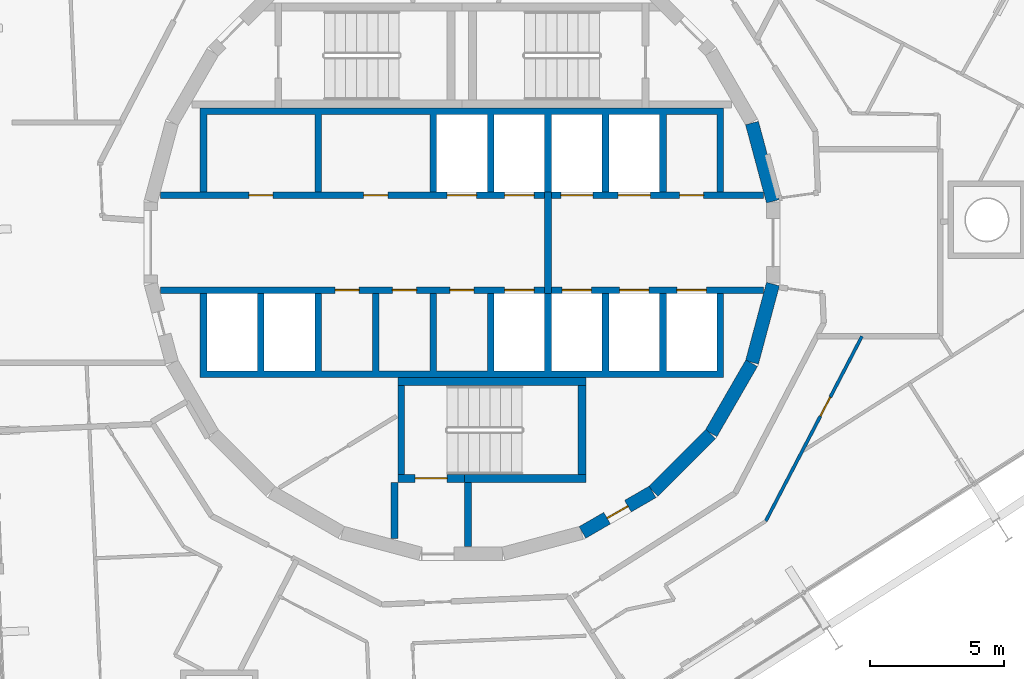
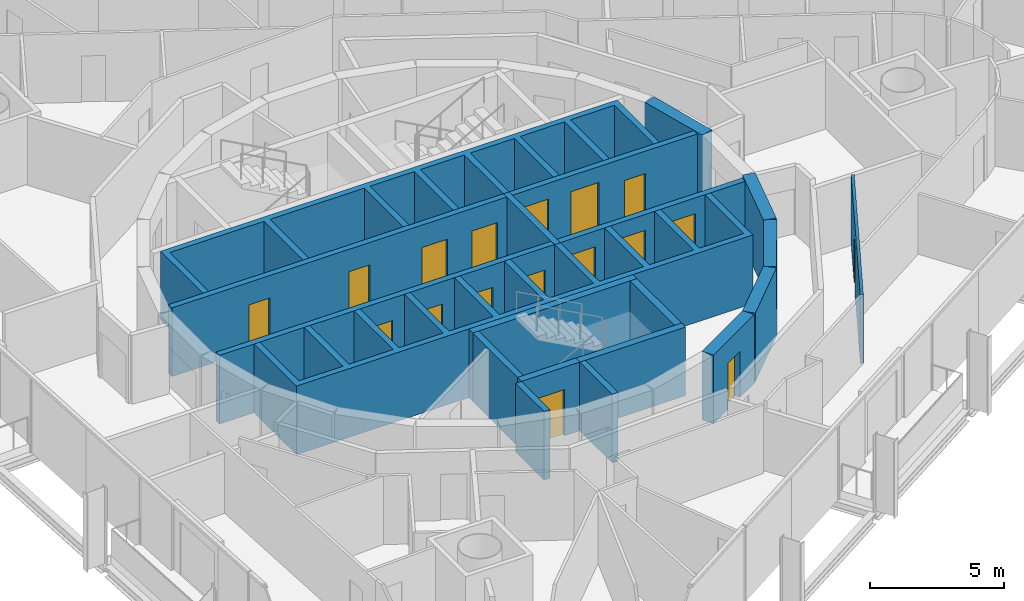
# One storey, part 13 of 17: 20 walls, 17 doors, 17 openings.
"""IFC4 building model written with IfcOpenShell, lengths in metres."""

from ifc_helpers import new_model, si_unit, direction, frame, frame_2d, origin, place, context, subcontext, project, spatial, polyline, rectangle, outline, extrude, material, layer, layer_set, type_object, element, fill, save


model = new_model("IFC4")

# Units and contexts
model_context = context("Model", 3, precision=1e-05, world=origin(), true_north=direction((0.0, 1.0)))
body_context = subcontext(model_context, "Body", "Model", "MODEL_VIEW")
ifc_project = project(units=[si_unit("LENGTHUNIT", "METRE"), si_unit("AREAUNIT", "SQUARE_METRE"), si_unit("VOLUMEUNIT", "CUBIC_METRE"), si_unit("PLANEANGLEUNIT", "RADIAN"), si_unit("MASSUNIT", "GRAM", prefix="KILO")], contexts=[model_context])

# Site, building, storey
site_placement = place(None, origin())
site = spatial("IfcSite", under=ifc_project, at=site_placement, CompositionType="ELEMENT")
building_placement = place(site_placement, origin())
building = spatial("IfcBuilding", under=site, at=building_placement, Name="Spindle Arch Residences", CompositionType="ELEMENT")
storey_placement = place(building_placement, frame((0.0, 0.0, 244.199951171875)))
storey = spatial("IfcBuildingStorey", under=building, at=storey_placement, Name="L62", CompositionType="ELEMENT", Elevation=244.199951171875)

# Wall, opening, door
ifc_material_1 = material(Name="Concrete C50/60", Category="concrete")
ifc_layer_1 = layer(ifc_material_1, 0.5)
ifc_layer_set_1 = layer_set([ifc_layer_1], Name="Core outline wall 500")
wall_type_1 = type_object("IfcWallType", Name="Core outline wall 500", PredefinedType="SHEAR", material=ifc_layer_set_1)
wall_1_placement = place(storey_placement, frame((4.510498046875, -10.84521484375, 0.0), z_axis=(0.0, 0.0, 1.0), x_axis=(0.865975092491, 0.500087131594, 0.0)))
wall_1 = element("IfcWall", 1, at=wall_1_placement, inside=storey, type_object=wall_type_1, Name="Core outline wall 2", PredefinedType="SHEAR", context=body_context, shape_type="SweptSolid", body=[
    extrude(rectangle(XDim=3.03271484375, YDim=0.5, at=frame_2d((1.516357421875, 0.0))), origin(), (0.0, 0.0, 1.0), 3.1201171875),
])
opening_1_placement = place(wall_1_placement, frame((1.06640625, 0.0, 0.0)))
opening_1 = element("IfcOpeningElement", 2, at=opening_1_placement, cuts=wall_1, Name="Opening R6B1-WD10", PredefinedType="OPENING", context=body_context, shape_type="SweptSolid", body=[
    extrude(rectangle(XDim=0.89990234375, YDim=2.10009765625, at=frame_2d((0.449951171875, 1.050048828125))), frame((0.0, 0.260009765625, 0.0), z_axis=(0.0, -1.0, 0.0), x_axis=(1.0, 0.0, 0.0)), (0.0, 0.0, 1.0), 0.52001953125),
])
ifc_material_2 = material(Name="Steel, fire-resisting door", Category="steel")
door_type_1 = type_object("IfcDoorType", Name="Service room door 900x2100", OperationType="SINGLE_SWING_LEFT", PredefinedType="DOOR", material=ifc_material_2)
door_1_placement = place(opening_1_placement, origin())
door_1 = element("IfcDoor", 3, at=door_1_placement, inside=storey, type_object=door_type_1, Name="Service room door R6B1-WD10", OperationType="SINGLE_SWING_RIGHT", OverallHeight=2.10009765625, OverallWidth=0.89990234375, PredefinedType="DOOR", context=body_context, shape_type="SweptSolid", body=[
    extrude(rectangle(XDim=0.89990234375, YDim=2.10009765625, at=frame_2d((0.449951171875, 1.050048828125))), frame((0.0, 0.02490234375, 0.0), z_axis=(0.0, -1.0, 0.0), x_axis=(1.0, 0.0, 0.0)), (0.0, 0.0, 1.0), 0.050048828125),
])
fill(opening_1, door_1)

# Walls
wall_2_placement = place(storey_placement, frame((7.163818359375, -9.30810546875, 0.0), z_axis=(0.0, 0.0, 1.0), x_axis=(0.707106781187, 0.707106781187, 0.0)))
element("IfcWall", 4, at=wall_2_placement, inside=storey, type_object=wall_type_1, Name="Core outline wall 3", PredefinedType="SHEAR", context=body_context, shape_type="SweptSolid", body=[
    extrude(rectangle(XDim=3.032470703125, YDim=0.5, at=frame_2d((1.51611328125, 0.0))), origin(), (0.0, 0.0, 1.0), 3.1201171875),
])
for number, where, z_axis, x_axis, name in (
    (5, (9.32861328125, -7.13671875, 0.0), (0.0, 0.0, 1.0), (0.500087131594, 0.865975092491, 0.0), "Core outline wall 4"),
    (6, (10.858154296875, -4.479248046875, 0.0), (0.0, 0.0, 1.0), (0.258734743916, 0.965948410781, 0.0), "Core outline wall 5"),
    (7, (11.642822265625, 1.5498046875, 0.0), (0.0, 0.0, 1.0), (-0.258734743916, 0.965948410781, 0.0), "Core outline wall 7"),
):
    element("IfcWall", number, at=place(storey_placement, frame(where, z_axis=z_axis, x_axis=x_axis)), inside=storey, type_object=wall_type_1, Name=name, PredefinedType="SHEAR", context=body_context, shape_type="SweptSolid", body=[
        extrude(rectangle(XDim=3.03271484375, YDim=0.5, at=frame_2d((1.516357421875, 0.0))), origin(), (0.0, 0.0, 1.0), 3.1201171875),
    ])

# Wall, openings, doors
ifc_material_3 = material(Name="Concrete C40/50", Category="concrete")
ifc_layer_2 = layer(ifc_material_3, 0.25)
ifc_layer_set_2 = layer_set([ifc_layer_2], Name="Fire-lift lobby wall 250")
wall_type_2 = type_object("IfcWallType", Name="Fire-lift lobby wall 250", PredefinedType="SHEAR", material=ifc_layer_set_2)
wall_3_placement = place(storey_placement, frame((3.35009765625, 1.77490234375, 0.0), z_axis=(0.0, 0.0, 1.0), x_axis=(1.0, 0.0, 0.0)))
wall_3 = element("IfcWall", 8, at=wall_3_placement, inside=storey, type_object=wall_type_2, Name="Lift shaft front wall NE", PredefinedType="SHEAR", context=body_context, shape_type="SweptSolid", body=[
    extrude(rectangle(XDim=7.929931640625, YDim=0.25, at=frame_2d((3.96484375, 0.0))), origin(), (0.0, 0.0, 1.0), 3.1201171875),
])
opening_2_placement = place(wall_3_placement, frame((0.35009765625, 0.0, 0.0)))
opening_2 = element("IfcOpeningElement", 9, at=opening_2_placement, cuts=wall_3, Name="Opening R6B1-SLD01", PredefinedType="OPENING", context=body_context, shape_type="SweptSolid", body=[
    extrude(rectangle(XDim=1.199951171875, YDim=2.39990234375, at=frame_2d((0.60009765625, 1.199951171875))), frame((0.0, 0.135009765625, 0.0), z_axis=(0.0, -1.0, 0.0), x_axis=(1.0, 0.0, 0.0)), (0.0, 0.0, 1.0), 0.27001953125),
])
opening_3_placement = place(wall_3_placement, frame((2.5, 0.0, 0.0)))
opening_3 = element("IfcOpeningElement", 10, at=opening_3_placement, cuts=wall_3, Name="Opening R6B1-SLD02", PredefinedType="OPENING", context=body_context, shape_type="SweptSolid", body=[
    extrude(rectangle(XDim=1.199951171875, YDim=2.39990234375, at=frame_2d((0.60009765625, 1.199951171875))), frame((0.0, 0.135009765625, 0.0), z_axis=(0.0, -1.0, 0.0), x_axis=(1.0, 0.0, 0.0)), (0.0, 0.0, 1.0), 0.27001953125),
])
opening_4_placement = place(wall_3_placement, frame((4.800048828125, 0.0, 0.0)))
opening_4 = element("IfcOpeningElement", 11, at=opening_4_placement, cuts=wall_3, Name="Opening R6B1-WD03", PredefinedType="OPENING", context=body_context, shape_type="SweptSolid", body=[
    extrude(rectangle(XDim=0.89990234375, YDim=2.10009765625, at=frame_2d((0.449951171875, 1.050048828125))), frame((0.0, 0.135009765625, 0.0), z_axis=(0.0, -1.0, 0.0), x_axis=(1.0, 0.0, 0.0)), (0.0, 0.0, 1.0), 0.27001953125),
])
ifc_material_4 = material(Name="Steel, fire-resisting landing door", Category="steel")
door_type_2 = type_object("IfcDoorType", Name="Service lift landing door 1200x2400", OperationType="DOUBLE_DOOR_SLIDING", PredefinedType="DOOR", material=ifc_material_4)
door_2_placement = place(opening_2_placement, origin())
door_2 = element("IfcDoor", 12, at=door_2_placement, inside=storey, type_object=door_type_2, Name="Service lift landing door R6B1-SLD01", OperationType="DOUBLE_DOOR_SLIDING", OverallHeight=2.39990234375, OverallWidth=1.199951171875, PredefinedType="DOOR", context=body_context, shape_type="SweptSolid", body=[
    extrude(rectangle(XDim=1.199951171875, YDim=2.39990234375, at=frame_2d((0.60009765625, 1.199951171875))), frame((0.0, 0.02490234375, 0.0), z_axis=(0.0, -1.0, 0.0), x_axis=(1.0, 0.0, 0.0)), (0.0, 0.0, 1.0), 0.050048828125),
])
fill(opening_2, door_2)
door_3_placement = place(opening_3_placement, origin())
door_3 = element("IfcDoor", 13, at=door_3_placement, inside=storey, type_object=door_type_2, Name="Service lift landing door R6B1-SLD02", OperationType="DOUBLE_DOOR_SLIDING", OverallHeight=2.39990234375, OverallWidth=1.199951171875, PredefinedType="DOOR", context=body_context, shape_type="SweptSolid", body=[
    extrude(rectangle(XDim=1.199951171875, YDim=2.39990234375, at=frame_2d((0.60009765625, 1.199951171875))), frame((0.0, 0.02490234375, 0.0), z_axis=(0.0, -1.0, 0.0), x_axis=(1.0, 0.0, 0.0)), (0.0, 0.0, 1.0), 0.050048828125),
])
fill(opening_3, door_3)
door_4_placement = place(opening_4_placement, origin())
door_4 = element("IfcDoor", 14, at=door_4_placement, inside=storey, type_object=door_type_1, Name="Service room door R6B1-WD03", OperationType="SINGLE_SWING_LEFT", OverallHeight=2.10009765625, OverallWidth=0.89990234375, PredefinedType="DOOR", context=body_context, shape_type="SweptSolid", body=[
    extrude(rectangle(XDim=0.89990234375, YDim=2.10009765625, at=frame_2d((0.449951171875, 1.050048828125))), frame((0.0, 0.02490234375, 0.0), z_axis=(0.0, -1.0, 0.0), x_axis=(1.0, 0.0, 0.0)), (0.0, 0.0, 1.0), 0.050048828125),
])
fill(opening_4, door_4)

# Wall
wall_4_placement = place(storey_placement, frame((3.22509765625, -1.89990234375, 0.0), z_axis=(0.0, 0.0, 1.0), x_axis=(0.0, 1.0, 0.0)))
element("IfcWall", 15, at=wall_4_placement, inside=storey, type_object=wall_type_2, Name="Fire-fighting lobby partition", PredefinedType="SHEAR", context=body_context, shape_type="SweptSolid", body=[
    extrude(rectangle(XDim=3.7998046875, YDim=0.25, at=frame_2d((1.89990234375, 0.0))), origin(), (0.0, 0.0, 1.0), 3.1201171875),
])

# Wall, openings, doors
ifc_material_5 = material(Name="Concrete C50/60", Category="concrete")
ifc_layer_3 = layer(ifc_material_5, 0.25)
ifc_layer_set_3 = layer_set([ifc_layer_3], Name="Fire-lift shaft wall 250")
wall_type_3 = type_object("IfcWallType", Name="Fire-lift shaft wall 250", PredefinedType="SHEAR", material=ifc_layer_set_3)
wall_5_placement = place(storey_placement, frame((3.35009765625, -1.77490234375, 0.0), z_axis=(0.0, 0.0, 1.0), x_axis=(1.0, 0.0, 0.0)))
wall_5 = element("IfcWall", 16, at=wall_5_placement, inside=storey, type_object=wall_type_3, Name="Lift shaft front wall SE", PredefinedType="SHEAR", context=body_context, shape_type="SweptSolid", body=[
    extrude(rectangle(XDim=7.929931640625, YDim=0.25, at=frame_2d((3.96484375, 0.0))), origin(), (0.0, 0.0, 1.0), 3.1201171875),
])
opening_5_placement = place(wall_5_placement, frame((0.39990234375, 0.0, 0.0)))
opening_5 = element("IfcOpeningElement", 17, at=opening_5_placement, cuts=wall_5, Name="Opening R6B1-FLD01", PredefinedType="OPENING", context=body_context, shape_type="SweptSolid", body=[
    extrude(rectangle(XDim=1.10009765625, YDim=2.39990234375, at=frame_2d((0.550048828125, 1.199951171875))), frame((0.0, 0.135009765625, 0.0), z_axis=(0.0, -1.0, 0.0), x_axis=(1.0, 0.0, 0.0)), (0.0, 0.0, 1.0), 0.27001953125),
])
opening_6_placement = place(wall_5_placement, frame((2.550048828125, 0.0, 0.0)))
opening_6 = element("IfcOpeningElement", 18, at=opening_6_placement, cuts=wall_5, Name="Opening R6B1-FLD02", PredefinedType="OPENING", context=body_context, shape_type="SweptSolid", body=[
    extrude(rectangle(XDim=1.10009765625, YDim=2.39990234375, at=frame_2d((0.550048828125, 1.199951171875))), frame((0.0, 0.135009765625, 0.0), z_axis=(0.0, -1.0, 0.0), x_axis=(1.0, 0.0, 0.0)), (0.0, 0.0, 1.0), 0.27001953125),
])
opening_7_placement = place(wall_5_placement, frame((4.699951171875, 0.0, 0.0)))
opening_7 = element("IfcOpeningElement", 19, at=opening_7_placement, cuts=wall_5, Name="Opening R6B1-FLD03", PredefinedType="OPENING", context=body_context, shape_type="SweptSolid", body=[
    extrude(rectangle(XDim=1.10009765625, YDim=2.39990234375, at=frame_2d((0.550048828125, 1.199951171875))), frame((0.0, 0.135009765625, 0.0), z_axis=(0.0, -1.0, 0.0), x_axis=(1.0, 0.0, 0.0)), (0.0, 0.0, 1.0), 0.27001953125),
])
ifc_material_6 = material(Name="Steel, fire-resisting landing door", Category="steel")
door_type_3 = type_object("IfcDoorType", Name="Fire-fighting lift landing door 1100x2400", OperationType="DOUBLE_DOOR_SLIDING", PredefinedType="DOOR", material=ifc_material_6)
door_5_placement = place(opening_5_placement, origin())
door_5 = element("IfcDoor", 20, at=door_5_placement, inside=storey, type_object=door_type_3, Name="Fire-fighting lift landing door R6B1-FLD01", OperationType="DOUBLE_DOOR_SLIDING", OverallHeight=2.39990234375, OverallWidth=1.10009765625, PredefinedType="DOOR", context=body_context, shape_type="SweptSolid", body=[
    extrude(rectangle(XDim=1.10009765625, YDim=2.39990234375, at=frame_2d((0.550048828125, 1.199951171875))), frame((0.0, 0.02490234375, 0.0), z_axis=(0.0, -1.0, 0.0), x_axis=(1.0, 0.0, 0.0)), (0.0, 0.0, 1.0), 0.050048828125),
])
fill(opening_5, door_5)
door_6_placement = place(opening_6_placement, origin())
door_6 = element("IfcDoor", 21, at=door_6_placement, inside=storey, type_object=door_type_3, Name="Fire-fighting lift landing door R6B1-FLD02", OperationType="DOUBLE_DOOR_SLIDING", OverallHeight=2.39990234375, OverallWidth=1.10009765625, PredefinedType="DOOR", context=body_context, shape_type="SweptSolid", body=[
    extrude(rectangle(XDim=1.10009765625, YDim=2.39990234375, at=frame_2d((0.550048828125, 1.199951171875))), frame((0.0, 0.02490234375, 0.0), z_axis=(0.0, -1.0, 0.0), x_axis=(1.0, 0.0, 0.0)), (0.0, 0.0, 1.0), 0.050048828125),
])
fill(opening_6, door_6)
door_7_placement = place(opening_7_placement, origin())
door_7 = element("IfcDoor", 22, at=door_7_placement, inside=storey, type_object=door_type_3, Name="Fire-fighting lift landing door R6B1-FLD03", OperationType="DOUBLE_DOOR_SLIDING", OverallHeight=2.39990234375, OverallWidth=1.10009765625, PredefinedType="DOOR", context=body_context, shape_type="SweptSolid", body=[
    extrude(rectangle(XDim=1.10009765625, YDim=2.39990234375, at=frame_2d((0.550048828125, 1.199951171875))), frame((0.0, 0.02490234375, 0.0), z_axis=(0.0, -1.0, 0.0), x_axis=(1.0, 0.0, 0.0)), (0.0, 0.0, 1.0), 0.050048828125),
])
fill(opening_7, door_7)

# Wall, opening, door
ifc_material_7 = material(Name="Plasterboard on steel studs", Category="steel")
ifc_layer_4 = layer(ifc_material_7, 0.1201171875)
ifc_layer_set_4 = layer_set([ifc_layer_4], Name="Flat partition 120")
wall_type_4 = type_object("IfcWallType", Name="Flat partition 120", PredefinedType="PARTITIONING", material=ifc_layer_set_4)
wall_6_placement = place(storey_placement, frame((11.373046875, -10.42138671875, 0.0), z_axis=(0.0, 0.0, 1.0), x_axis=(0.461746745223, 0.887011805601, 0.0)))
wall_6 = element("IfcWall", 23, at=wall_6_placement, inside=storey, type_object=wall_type_4, Name="Flat partition R6B1-W097", PredefinedType="PARTITIONING", context=body_context, shape_type="SweptSolid", body=[
    extrude(rectangle(XDim=7.802978515625, YDim=0.1201171875, at=frame_2d((3.9013671875, 0.0))), origin(), (0.0, 0.0, 1.0), 3.1201171875),
])
opening_8_placement = place(wall_6_placement, frame((4.431396484375, 0.0, 0.0)))
opening_8 = element("IfcOpeningElement", 24, at=opening_8_placement, cuts=wall_6, Name="Opening R6B1-BD06", PredefinedType="OPENING", context=body_context, shape_type="SweptSolid", body=[
    extrude(rectangle(XDim=0.800048828125, YDim=2.10009765625, at=frame_2d((0.39990234375, 1.050048828125))), frame((0.0, 0.070068359375, 0.0), z_axis=(0.0, -1.0, 0.0), x_axis=(1.0, 0.0, 0.0)), (0.0, 0.0, 1.0), 0.14013671875),
])
ifc_material_8 = material(Name="Timber door set", Category="wood")
door_type_4 = type_object("IfcDoorType", Name="Bathroom door 800x2100", OperationType="NOTDEFINED", PredefinedType="DOOR", material=ifc_material_8)
door_8_placement = place(opening_8_placement, origin())
door_8 = element("IfcDoor", 25, at=door_8_placement, inside=storey, type_object=door_type_4, Name="Bathroom door R6B1-BD06", OperationType="SINGLE_SWING_RIGHT", OverallHeight=2.10009765625, OverallWidth=0.800048828125, PredefinedType="DOOR", context=body_context, shape_type="SweptSolid", body=[
    extrude(rectangle(XDim=0.800048828125, YDim=2.10009765625, at=frame_2d((0.39990234375, 1.050048828125))), frame((0.0, 0.02490234375, 0.0), z_axis=(0.0, -1.0, 0.0), x_axis=(1.0, 0.0, 0.0)), (0.0, 0.0, 1.0), 0.050048828125),
])
fill(opening_8, door_8)

# Wall, openings, doors
ifc_material_9 = material(Name="Concrete C50/60", Category="concrete")
ifc_layer_5 = layer(ifc_material_9, 0.25)
ifc_layer_set_5 = layer_set([ifc_layer_5], Name="Lift shaft wall 250")
wall_type_5 = type_object("IfcWallType", Name="Lift shaft wall 250", PredefinedType="SHEAR", material=ifc_layer_set_5)
wall_7_placement = place(storey_placement, frame((-11.280029296875, 1.77490234375, 0.0), z_axis=(0.0, 0.0, 1.0), x_axis=(1.0, 0.0, 0.0)))
wall_7 = element("IfcWall", 26, at=wall_7_placement, inside=storey, type_object=wall_type_5, Name="Lift shaft front wall NW", PredefinedType="SHEAR", context=body_context, shape_type="SweptSolid", body=[
    extrude(rectangle(XDim=14.380126953125, YDim=0.25, at=frame_2d((7.18994140625, 0.0))), origin(), (0.0, 0.0, 1.0), 3.1201171875),
])
opening_9_placement = place(wall_7_placement, frame((10.72998046875, 0.0, 0.0)))
opening_9 = element("IfcOpeningElement", 27, at=opening_9_placement, cuts=wall_7, Name="Opening R6B1-LD01", PredefinedType="OPENING", context=body_context, shape_type="SweptSolid", body=[
    extrude(rectangle(XDim=1.10009765625, YDim=2.10009765625, at=frame_2d((0.550048828125, 1.050048828125))), frame((0.0, 0.135009765625, 0.0), z_axis=(0.0, -1.0, 0.0), x_axis=(1.0, 0.0, 0.0)), (0.0, 0.0, 1.0), 0.27001953125),
])
opening_10_placement = place(wall_7_placement, frame((12.8798828125, 0.0, 0.0)))
opening_10 = element("IfcOpeningElement", 28, at=opening_10_placement, cuts=wall_7, Name="Opening R6B1-LD02", PredefinedType="OPENING", context=body_context, shape_type="SweptSolid", body=[
    extrude(rectangle(XDim=1.10009765625, YDim=2.10009765625, at=frame_2d((0.550048828125, 1.050048828125))), frame((0.0, 0.135009765625, 0.0), z_axis=(0.0, -1.0, 0.0), x_axis=(1.0, 0.0, 0.0)), (0.0, 0.0, 1.0), 0.27001953125),
])
opening_11_placement = place(wall_7_placement, frame((3.304931640625, 0.0, 0.0)))
opening_11 = element("IfcOpeningElement", 29, at=opening_11_placement, cuts=wall_7, Name="Opening R6B1-WD01", PredefinedType="OPENING", context=body_context, shape_type="SweptSolid", body=[
    extrude(rectangle(XDim=0.89990234375, YDim=2.10009765625, at=frame_2d((0.449951171875, 1.050048828125))), frame((0.0, 0.135009765625, 0.0), z_axis=(0.0, -1.0, 0.0), x_axis=(1.0, 0.0, 0.0)), (0.0, 0.0, 1.0), 0.27001953125),
])
opening_12_placement = place(wall_7_placement, frame((7.60498046875, 0.0, 0.0)))
opening_12 = element("IfcOpeningElement", 30, at=opening_12_placement, cuts=wall_7, Name="Opening R6B1-WD02", PredefinedType="OPENING", context=body_context, shape_type="SweptSolid", body=[
    extrude(rectangle(XDim=0.89990234375, YDim=2.10009765625, at=frame_2d((0.449951171875, 1.050048828125))), frame((0.0, 0.135009765625, 0.0), z_axis=(0.0, -1.0, 0.0), x_axis=(1.0, 0.0, 0.0)), (0.0, 0.0, 1.0), 0.27001953125),
])
ifc_material_10 = material(Name="Steel, fire-resisting landing door", Category="steel")
door_type_5 = type_object("IfcDoorType", Name="Lift landing door 1100x2100", OperationType="DOUBLE_DOOR_SLIDING", PredefinedType="DOOR", material=ifc_material_10)
door_9_placement = place(opening_9_placement, origin())
door_9 = element("IfcDoor", 31, at=door_9_placement, inside=storey, type_object=door_type_5, Name="Lift landing door R6B1-LD01", OperationType="DOUBLE_DOOR_SLIDING", OverallHeight=2.10009765625, OverallWidth=1.10009765625, PredefinedType="DOOR", context=body_context, shape_type="SweptSolid", body=[
    extrude(rectangle(XDim=1.10009765625, YDim=2.10009765625, at=frame_2d((0.550048828125, 1.050048828125))), frame((0.0, 0.02490234375, 0.0), z_axis=(0.0, -1.0, 0.0), x_axis=(1.0, 0.0, 0.0)), (0.0, 0.0, 1.0), 0.050048828125),
])
fill(opening_9, door_9)
door_10_placement = place(opening_10_placement, origin())
door_10 = element("IfcDoor", 32, at=door_10_placement, inside=storey, type_object=door_type_5, Name="Lift landing door R6B1-LD02", OperationType="DOUBLE_DOOR_SLIDING", OverallHeight=2.10009765625, OverallWidth=1.10009765625, PredefinedType="DOOR", context=body_context, shape_type="SweptSolid", body=[
    extrude(rectangle(XDim=1.10009765625, YDim=2.10009765625, at=frame_2d((0.550048828125, 1.050048828125))), frame((0.0, 0.02490234375, 0.0), z_axis=(0.0, -1.0, 0.0), x_axis=(1.0, 0.0, 0.0)), (0.0, 0.0, 1.0), 0.050048828125),
])
fill(opening_10, door_10)
door_11_placement = place(opening_11_placement, origin())
door_11 = element("IfcDoor", 33, at=door_11_placement, inside=storey, type_object=door_type_1, Name="Service room door R6B1-WD01", OperationType="SINGLE_SWING_LEFT", OverallHeight=2.10009765625, OverallWidth=0.89990234375, PredefinedType="DOOR", context=body_context, shape_type="SweptSolid", body=[
    extrude(rectangle(XDim=0.89990234375, YDim=2.10009765625, at=frame_2d((0.449951171875, 1.050048828125))), frame((0.0, 0.02490234375, 0.0), z_axis=(0.0, -1.0, 0.0), x_axis=(1.0, 0.0, 0.0)), (0.0, 0.0, 1.0), 0.050048828125),
])
fill(opening_11, door_11)
door_12_placement = place(opening_12_placement, origin())
door_12 = element("IfcDoor", 34, at=door_12_placement, inside=storey, type_object=door_type_1, Name="Service room door R6B1-WD02", OperationType="SINGLE_SWING_RIGHT", OverallHeight=2.10009765625, OverallWidth=0.89990234375, PredefinedType="DOOR", context=body_context, shape_type="SweptSolid", body=[
    extrude(rectangle(XDim=0.89990234375, YDim=2.10009765625, at=frame_2d((0.449951171875, 1.050048828125))), frame((0.0, 0.02490234375, 0.0), z_axis=(0.0, -1.0, 0.0), x_axis=(1.0, 0.0, 0.0)), (0.0, 0.0, 1.0), 0.050048828125),
])
fill(opening_12, door_12)

wall_8_placement = place(storey_placement, frame((-11.280029296875, -1.77490234375, 0.0), z_axis=(0.0, 0.0, 1.0), x_axis=(1.0, 0.0, 0.0)))
wall_8 = element("IfcWall", 35, at=wall_8_placement, inside=storey, type_object=wall_type_5, Name="Lift shaft front wall SW", PredefinedType="SHEAR", context=body_context, shape_type="SweptSolid", body=[
    extrude(rectangle(XDim=14.380126953125, YDim=0.25, at=frame_2d((7.18994140625, 0.0))), origin(), (0.0, 0.0, 1.0), 3.1201171875),
])
opening_13_placement = place(wall_8_placement, frame((12.8798828125, 0.0, 0.0)))
opening_13 = element("IfcOpeningElement", 36, at=opening_13_placement, cuts=wall_8, Name="Opening R6B1-LD03", PredefinedType="OPENING", context=body_context, shape_type="SweptSolid", body=[
    extrude(rectangle(XDim=1.10009765625, YDim=2.10009765625, at=frame_2d((0.550048828125, 1.050048828125))), frame((0.0, 0.135009765625, 0.0), z_axis=(0.0, -1.0, 0.0), x_axis=(1.0, 0.0, 0.0)), (0.0, 0.0, 1.0), 0.27001953125),
])
opening_14_placement = place(wall_8_placement, frame((6.530029296875, 0.0, 0.0)))
opening_14 = element("IfcOpeningElement", 37, at=opening_14_placement, cuts=wall_8, Name="Opening R6B1-WD04", PredefinedType="OPENING", context=body_context, shape_type="SweptSolid", body=[
    extrude(rectangle(XDim=0.89990234375, YDim=2.10009765625, at=frame_2d((0.449951171875, 1.050048828125))), frame((0.0, 0.135009765625, 0.0), z_axis=(0.0, -1.0, 0.0), x_axis=(1.0, 0.0, 0.0)), (0.0, 0.0, 1.0), 0.27001953125),
])
opening_15_placement = place(wall_8_placement, frame((8.679931640625, 0.0, 0.0)))
opening_15 = element("IfcOpeningElement", 38, at=opening_15_placement, cuts=wall_8, Name="Opening R6B1-WD05", PredefinedType="OPENING", context=body_context, shape_type="SweptSolid", body=[
    extrude(rectangle(XDim=0.89990234375, YDim=2.10009765625, at=frame_2d((0.449951171875, 1.050048828125))), frame((0.0, 0.135009765625, 0.0), z_axis=(0.0, -1.0, 0.0), x_axis=(1.0, 0.0, 0.0)), (0.0, 0.0, 1.0), 0.27001953125),
])
opening_16_placement = place(wall_8_placement, frame((10.830078125, 0.0, 0.0)))
opening_16 = element("IfcOpeningElement", 39, at=opening_16_placement, cuts=wall_8, Name="Opening R6B1-WD06", PredefinedType="OPENING", context=body_context, shape_type="SweptSolid", body=[
    extrude(rectangle(XDim=0.89990234375, YDim=2.10009765625, at=frame_2d((0.449951171875, 1.050048828125))), frame((0.0, 0.135009765625, 0.0), z_axis=(0.0, -1.0, 0.0), x_axis=(1.0, 0.0, 0.0)), (0.0, 0.0, 1.0), 0.27001953125),
])
door_13_placement = place(opening_13_placement, origin())
door_13 = element("IfcDoor", 40, at=door_13_placement, inside=storey, type_object=door_type_5, Name="Lift landing door R6B1-LD03", OperationType="DOUBLE_DOOR_SLIDING", OverallHeight=2.10009765625, OverallWidth=1.10009765625, PredefinedType="DOOR", context=body_context, shape_type="SweptSolid", body=[
    extrude(rectangle(XDim=1.10009765625, YDim=2.10009765625, at=frame_2d((0.550048828125, 1.050048828125))), frame((0.0, 0.02490234375, 0.0), z_axis=(0.0, -1.0, 0.0), x_axis=(1.0, 0.0, 0.0)), (0.0, 0.0, 1.0), 0.050048828125),
])
fill(opening_13, door_13)
door_14_placement = place(opening_14_placement, origin())
door_14 = element("IfcDoor", 41, at=door_14_placement, inside=storey, type_object=door_type_1, Name="Service room door R6B1-WD04", OperationType="SINGLE_SWING_RIGHT", OverallHeight=2.10009765625, OverallWidth=0.89990234375, PredefinedType="DOOR", context=body_context, shape_type="SweptSolid", body=[
    extrude(rectangle(XDim=0.89990234375, YDim=2.10009765625, at=frame_2d((0.449951171875, 1.050048828125))), frame((0.0, 0.02490234375, 0.0), z_axis=(0.0, -1.0, 0.0), x_axis=(1.0, 0.0, 0.0)), (0.0, 0.0, 1.0), 0.050048828125),
])
fill(opening_14, door_14)
door_15_placement = place(opening_15_placement, origin())
door_15 = element("IfcDoor", 42, at=door_15_placement, inside=storey, type_object=door_type_1, Name="Service room door R6B1-WD05", OperationType="SINGLE_SWING_LEFT", OverallHeight=2.10009765625, OverallWidth=0.89990234375, PredefinedType="DOOR", context=body_context, shape_type="SweptSolid", body=[
    extrude(rectangle(XDim=0.89990234375, YDim=2.10009765625, at=frame_2d((0.449951171875, 1.050048828125))), frame((0.0, 0.02490234375, 0.0), z_axis=(0.0, -1.0, 0.0), x_axis=(1.0, 0.0, 0.0)), (0.0, 0.0, 1.0), 0.050048828125),
])
fill(opening_15, door_15)
door_16_placement = place(opening_16_placement, origin())
door_16 = element("IfcDoor", 43, at=door_16_placement, inside=storey, type_object=door_type_1, Name="Service room door R6B1-WD06", OperationType="SINGLE_SWING_RIGHT", OverallHeight=2.10009765625, OverallWidth=0.89990234375, PredefinedType="DOOR", context=body_context, shape_type="SweptSolid", body=[
    extrude(rectangle(XDim=0.89990234375, YDim=2.10009765625, at=frame_2d((0.449951171875, 1.050048828125))), frame((0.0, 0.02490234375, 0.0), z_axis=(0.0, -1.0, 0.0), x_axis=(1.0, 0.0, 0.0)), (0.0, 0.0, 1.0), 0.050048828125),
])
fill(opening_16, door_16)

# Walls
ifc_material_11 = material(Name="Concrete C50/60", Category="concrete")
wall_type_6 = type_object("IfcWallType", Name="Lift shaft wall profile", PredefinedType="SHEAR", material=ifc_material_11)
wall_9_placement = place(storey_placement, origin())
element("IfcWall", 44, at=wall_9_placement, inside=storey, type_object=wall_type_6, Name="Lift shaft walls N", PredefinedType="SHEAR", context=body_context, shape_type="SweptSolid", body=[
    extrude(outline(polyline([(-9.550048828125, 4.800048828125), (-5.5, 4.800048828125), (-5.5, 1.89990234375), (-5.25, 1.89990234375), (-5.25, 4.800048828125), (-1.199951171875, 4.800048828125), (-1.199951171875, 1.89990234375), (-0.949951171875, 1.89990234375), (-0.949951171875, 4.800048828125), (0.949951171875, 4.800048828125), (0.949951171875, 1.89990234375), (1.199951171875, 1.89990234375), (1.199951171875, 4.800048828125), (3.10009765625, 4.800048828125), (3.10009765625, 1.89990234375), (3.35009765625, 1.89990234375), (3.35009765625, 4.800048828125), (5.25, 4.800048828125), (5.25, 1.89990234375), (5.5, 1.89990234375), (5.5, 4.800048828125), (7.39990234375, 4.800048828125), (7.39990234375, 1.89990234375), (7.64990234375, 1.89990234375), (7.64990234375, 4.800048828125), (9.550048828125, 4.800048828125), (9.550048828125, 1.89990234375), (9.800048828125, 1.89990234375), (9.800048828125, 4.800048828125), (9.800048828125, 5.050048828125), (-9.800048828125, 5.050048828125), (-9.800048828125, 4.800048828125), (-9.800048828125, 1.89990234375), (-9.550048828125, 1.89990234375), (-9.550048828125, 4.800048828125)])), origin(), (0.0, 0.0, 1.0), 3.1201171875),
])
wall_10_placement = place(storey_placement, origin())
element("IfcWall", 45, at=wall_10_placement, inside=storey, type_object=wall_type_6, Name="Lift shaft walls S", PredefinedType="SHEAR", context=body_context, shape_type="SweptSolid", body=[
    extrude(outline(polyline([(9.800048828125, -5.050048828125), (9.800048828125, -4.800048828125), (9.800048828125, -1.89990234375), (9.550048828125, -1.89990234375), (9.550048828125, -4.800048828125), (7.64990234375, -4.800048828125), (7.64990234375, -1.89990234375), (7.39990234375, -1.89990234375), (7.39990234375, -4.800048828125), (5.5, -4.800048828125), (5.5, -1.89990234375), (5.25, -1.89990234375), (5.25, -4.800048828125), (3.35009765625, -4.800048828125), (3.35009765625, -1.89990234375), (3.10009765625, -1.89990234375), (3.10009765625, -4.800048828125), (1.199951171875, -4.800048828125), (1.199951171875, -1.89990234375), (0.949951171875, -1.89990234375), (0.949951171875, -4.800048828125), (-0.949951171875, -4.800048828125), (-0.949951171875, -1.89990234375), (-1.199951171875, -1.89990234375), (-1.199951171875, -4.800048828125), (-3.10009765625, -4.800048828125), (-3.10009765625, -1.89990234375), (-3.35009765625, -1.89990234375), (-3.35009765625, -4.800048828125), (-5.25, -4.800048828125), (-5.25, -1.89990234375), (-5.5, -1.89990234375), (-5.5, -4.800048828125), (-7.39990234375, -4.800048828125), (-7.39990234375, -1.89990234375), (-7.64990234375, -1.89990234375), (-7.64990234375, -4.800048828125), (-9.550048828125, -4.800048828125), (-9.550048828125, -1.89990234375), (-9.800048828125, -1.89990234375), (-9.800048828125, -4.800048828125), (-9.800048828125, -5.050048828125), (9.800048828125, -5.050048828125)])), origin(), (0.0, 0.0, 1.0), 3.1201171875),
])
ifc_material_12 = material(Name="Concrete C40/50", Category="concrete")
ifc_layer_6 = layer(ifc_material_12, 0.25)
ifc_layer_set_6 = layer_set([ifc_layer_6], Name="Stair airlock wall 250")
wall_type_7 = type_object("IfcWallType", Name="Stair airlock wall 250", PredefinedType="SHEAR", material=ifc_layer_set_6)
wall_11_placement = place(storey_placement, frame((-2.52490234375, -8.969970703125, 0.0), z_axis=(0.0, 0.0, 1.0), x_axis=(0.0, -1.0, 0.0)))
element("IfcWall", 46, at=wall_11_placement, inside=storey, type_object=wall_type_7, Name="Stair ST-3 airlock wall W", PredefinedType="SHEAR", context=body_context, shape_type="SweptSolid", body=[
    extrude(rectangle(XDim=2.110107421875, YDim=0.25, at=frame_2d((1.05517578125, 0.0))), origin(), (0.0, 0.0, 1.0), 3.1201171875),
])
wall_12_placement = place(storey_placement, frame((0.22509765625, -8.969970703125, 0.0), z_axis=(0.0, 0.0, 1.0), x_axis=(0.0, -1.0, 0.0)))
element("IfcWall", 47, at=wall_12_placement, inside=storey, type_object=wall_type_7, Name="Stair ST-3 airlock wall E", PredefinedType="SHEAR", context=body_context, shape_type="SweptSolid", body=[
    extrude(rectangle(XDim=2.409912109375, YDim=0.25, at=frame_2d((1.205078125, 0.0))), origin(), (0.0, 0.0, 1.0), 3.1201171875),
])
ifc_material_13 = material(Name="Concrete C50/60", Category="concrete")
ifc_layer_7 = layer(ifc_material_13, 0.25)
ifc_layer_set_7 = layer_set([ifc_layer_7], Name="Stair enclosure wall 250")
wall_type_8 = type_object("IfcWallType", Name="Stair enclosure wall 250", PredefinedType="SHEAR", material=ifc_layer_set_7)
wall_13_placement = place(storey_placement, frame((-2.27490234375, -8.669921875, 0.0), z_axis=(0.0, 0.0, 1.0), x_axis=(0.0, 1.0, 0.0)))
element("IfcWall", 48, at=wall_13_placement, inside=storey, type_object=wall_type_8, Name="Stair ST-3 enclosure wall W", PredefinedType="SHEAR", context=body_context, shape_type="SweptSolid", body=[
    extrude(rectangle(XDim=3.31982421875, YDim=0.25, at=frame_2d((1.659912109375, 0.0))), origin(), (0.0, 0.0, 1.0), 3.1201171875),
])
ifc_material_14 = material(Name="Concrete C50/60", Category="concrete")
ifc_layer_8 = layer(ifc_material_14, 0.300048828125)
ifc_layer_set_8 = layer_set([ifc_layer_8], Name="Stair enclosure wall 300")
wall_type_9 = type_object("IfcWallType", Name="Stair enclosure wall 300", PredefinedType="SHEAR", material=ifc_layer_set_8)
wall_14_placement = place(storey_placement, frame((-2.39990234375, -5.199951171875, 0.0), z_axis=(0.0, 0.0, 1.0), x_axis=(1.0, 0.0, 0.0)))
element("IfcWall", 49, at=wall_14_placement, inside=storey, type_object=wall_type_9, Name="Stair ST-3 enclosure wall N", PredefinedType="SHEAR", context=body_context, shape_type="SweptSolid", body=[
    extrude(rectangle(XDim=7.0498046875, YDim=0.300048828125, at=frame_2d((3.52490234375, 0.0))), origin(), (0.0, 0.0, 1.0), 3.1201171875),
])
wall_15_placement = place(storey_placement, frame((4.5, -8.669921875, 0.0), z_axis=(0.0, 0.0, 1.0), x_axis=(0.0, 1.0, 0.0)))
element("IfcWall", 50, at=wall_15_placement, inside=storey, type_object=wall_type_9, Name="Stair ST-3 enclosure wall E", PredefinedType="SHEAR", context=body_context, shape_type="SweptSolid", body=[
    extrude(rectangle(XDim=3.31982421875, YDim=0.300048828125, at=frame_2d((1.659912109375, 0.0))), origin(), (0.0, 0.0, 1.0), 3.1201171875),
])
wall_16_placement = place(storey_placement, frame((0.10009765625, -8.820068359375, 0.0), z_axis=(0.0, 0.0, 1.0), x_axis=(1.0, 0.0, 0.0)))
element("IfcWall", 51, at=wall_16_placement, inside=storey, type_object=wall_type_9, Name="Stair ST-3 enclosure wall S", PredefinedType="SHEAR", context=body_context, shape_type="SweptSolid", body=[
    extrude(rectangle(XDim=4.5498046875, YDim=0.300048828125, at=frame_2d((2.27490234375, 0.0))), origin(), (0.0, 0.0, 1.0), 3.1201171875),
])

# Wall, opening, door
wall_17_placement = place(storey_placement, frame((-2.39990234375, -8.820068359375, 0.0), z_axis=(0.0, 0.0, 1.0), x_axis=(1.0, 0.0, 0.0)))
wall_17 = element("IfcWall", 52, at=wall_17_placement, inside=storey, type_object=wall_type_9, Name="Stair ST-3 door wall", PredefinedType="SHEAR", context=body_context, shape_type="SweptSolid", body=[
    extrude(rectangle(XDim=2.5, YDim=0.300048828125, at=frame_2d((1.25, 0.0))), origin(), (0.0, 0.0, 1.0), 3.1201171875),
])
opening_17_placement = place(wall_17_placement, frame((0.64990234375, 0.0, 0.0)))
opening_17 = element("IfcOpeningElement", 53, at=opening_17_placement, cuts=wall_17, Name="Opening R6B1-SD03", PredefinedType="OPENING", context=body_context, shape_type="SweptSolid", body=[
    extrude(rectangle(XDim=1.199951171875, YDim=2.10009765625, at=frame_2d((0.60009765625, 1.050048828125))), frame((0.0, 0.16015625, 0.0), z_axis=(0.0, -1.0, 0.0), x_axis=(1.0, 0.0, 0.0)), (0.0, 0.0, 1.0), 0.320068359375),
])
ifc_material_15 = material(Name="Steel, fire-resisting door", Category="steel")
door_type_6 = type_object("IfcDoorType", Name="Stair door 1200x2100", OperationType="SINGLE_SWING_RIGHT", PredefinedType="DOOR", material=ifc_material_15)
door_17_placement = place(opening_17_placement, origin())
door_17 = element("IfcDoor", 54, at=door_17_placement, inside=storey, type_object=door_type_6, Name="Stair door R6B1-SD03", OperationType="SINGLE_SWING_LEFT", OverallHeight=2.10009765625, OverallWidth=1.199951171875, PredefinedType="DOOR", context=body_context, shape_type="SweptSolid", body=[
    extrude(rectangle(XDim=1.199951171875, YDim=2.10009765625, at=frame_2d((0.60009765625, 1.050048828125))), frame((0.0, 0.02490234375, 0.0), z_axis=(0.0, -1.0, 0.0), x_axis=(1.0, 0.0, 0.0)), (0.0, 0.0, 1.0), 0.050048828125),
])
fill(opening_17, door_17)

save(model, "model.ifc")
